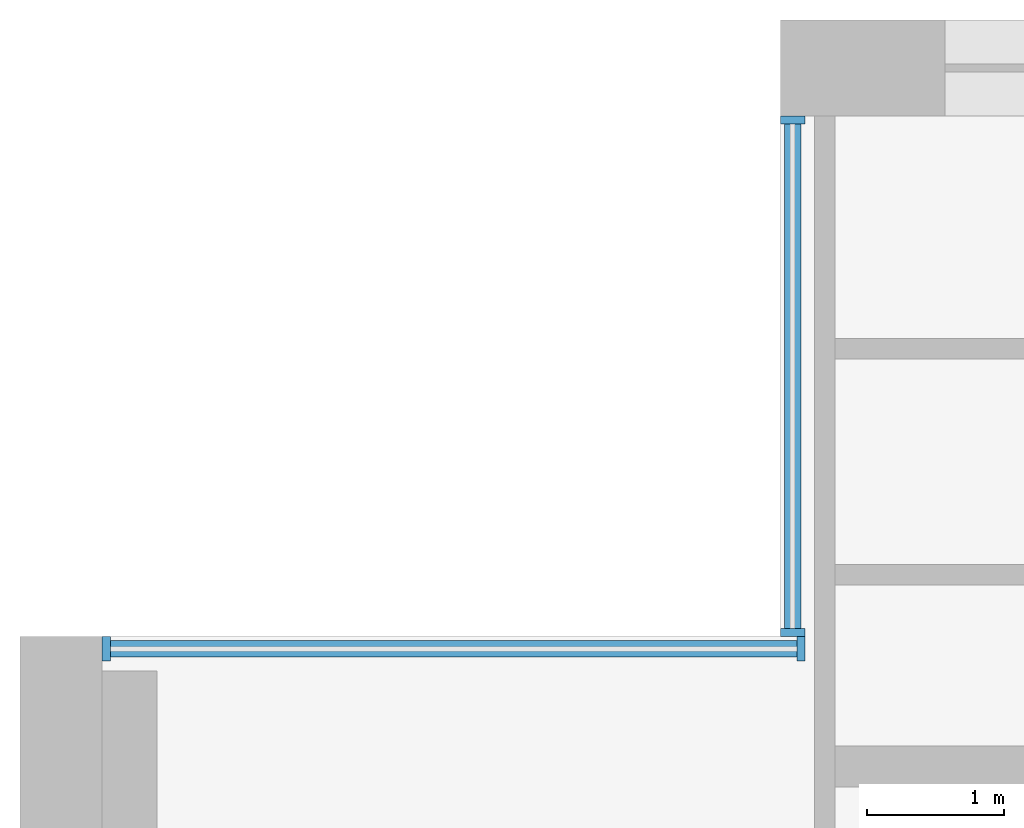
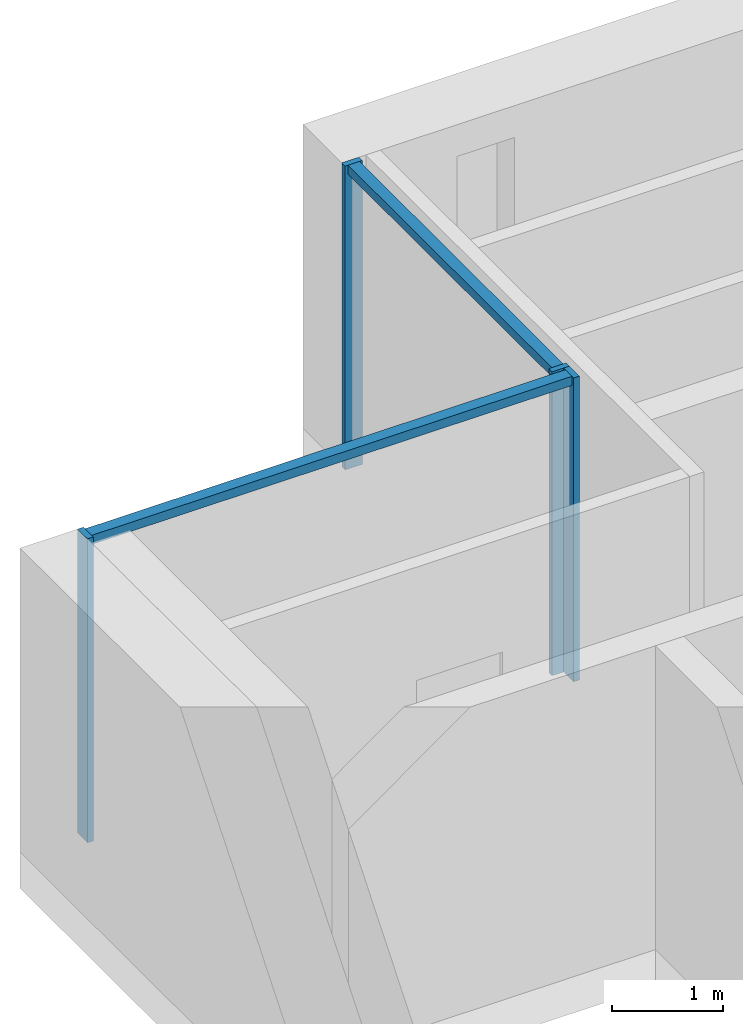
# One storey, part 4 of 17: 6 members, 2 elements without a shape of their own.
"""IFC4 building model written with IfcOpenShell, lengths in metres."""

from ifc_helpers import new_model, si_unit, direction, frame, origin, origin_2d, place, context, subcontext, project, spatial, rectangle, extrude, material, material_profile, profile_set, type_object, element, aggregate, save


model = new_model("IFC4")

# Units and contexts
model_context = context("Model", 3, precision=1e-05, world=origin(), true_north=direction((0.0, 1.0)))
body_context = subcontext(model_context, "Body", "Model", "MODEL_VIEW")
ifc_project = project(units=[si_unit("LENGTHUNIT", "METRE"), si_unit("AREAUNIT", "SQUARE_METRE"), si_unit("VOLUMEUNIT", "CUBIC_METRE"), si_unit("PLANEANGLEUNIT", "RADIAN"), si_unit("MASSUNIT", "GRAM", prefix="KILO")], contexts=[model_context])

# Site, building, storey
site_placement = place(None, origin())
site = spatial("IfcSite", under=ifc_project, at=site_placement, CompositionType="ELEMENT")
building_placement = place(site_placement, origin())
building = spatial("IfcBuilding", under=site, at=building_placement, Name="Calvaro Tower", CompositionType="ELEMENT")
storey_placement = place(building_placement, frame((0.0, 0.0, 219.25)))
storey = spatial("IfcBuildingStorey", under=building, at=storey_placement, Name="L55", CompositionType="ELEMENT", Elevation=219.25)

# Curtain wall, members
ifc_material_1 = material(Name="Anodised aluminium", Category="aluminium")
curtain_wall_type = type_object("IfcCurtainWallType", Name="Office curtain wall, upper zone", PredefinedType="NOTDEFINED", material=ifc_material_1)
curtain_wall_1_placement = place(storey_placement, origin())
curtain_wall_1 = element("IfcCurtainWall", 1, at=curtain_wall_1_placement, inside=storey, type_object=curtain_wall_type, Name="CW3 corner curtain wall", PredefinedType="NOTDEFINED")
ifc_material_2 = material(Name="Anodised aluminium", Category="aluminium")
ifc_material_profile_1 = material_profile(ifc_material_2, rectangle(XDim=0.179931640625, YDim=0.06005859375, at=origin_2d()), Name="Mullion S3 60 x 180")
ifc_profile_set_1 = profile_set([ifc_material_profile_1], Name="Anodised aluminium")
member_type_1 = type_object("IfcMemberType", Name="Mullion S3 60 x 180", PredefinedType="MULLION", material=ifc_profile_set_1)
member_1_placement = place(storey_placement, frame((11.639892578125, 41.530029296875, 0.0), z_axis=(0.0, 0.0, 1.0), x_axis=(-1.0, 0.0, 0.0)))
member_1 = element("IfcMember", 2, at=member_1_placement, type_object=member_type_1, Name="CW3 mullion 1", PredefinedType="MULLION", context=body_context, shape_type="SweptSolid", body=[
    extrude(rectangle(XDim=0.179931640625, YDim=0.06005859375, at=origin_2d()), origin(), (0.0, 0.0, 1.0), 3.35009765625),
])
member_2_placement = place(storey_placement, frame((11.639892578125, 45.27001953125, 0.0), z_axis=(0.0, 0.0, 1.0), x_axis=(-1.0, 0.0, 0.0)))
member_2 = element("IfcMember", 3, at=member_2_placement, type_object=member_type_1, Name="CW3 mullion 2", PredefinedType="MULLION", context=body_context, shape_type="SweptSolid", body=[
    extrude(rectangle(XDim=0.179931640625, YDim=0.06005859375, at=origin_2d()), origin(), (0.0, 0.0, 1.0), 3.35009765625),
])

curtain_wall_2_placement = place(storey_placement, origin())
curtain_wall_2 = element("IfcCurtainWall", 4, at=curtain_wall_2_placement, inside=storey, type_object=curtain_wall_type, Name="CW3 corner curtain wall", PredefinedType="NOTDEFINED")
member_3_placement = place(storey_placement, frame((6.6298828125, 41.409912109375, 0.0), z_axis=(0.0, 0.0, 1.0), x_axis=(0.0, 1.0, 0.0)))
member_3 = element("IfcMember", 5, at=member_3_placement, type_object=member_type_1, Name="CW3 mullion 1", PredefinedType="MULLION", context=body_context, shape_type="SweptSolid", body=[
    extrude(rectangle(XDim=0.179931640625, YDim=0.06005859375, at=origin_2d()), origin(), (0.0, 0.0, 1.0), 3.35009765625),
])
member_4_placement = place(storey_placement, frame((11.699951171875, 41.409912109375, 0.0), z_axis=(0.0, 0.0, 1.0), x_axis=(0.0, 1.0, 0.0)))
member_4 = element("IfcMember", 6, at=member_4_placement, type_object=member_type_1, Name="CW3 mullion 2", PredefinedType="MULLION", context=body_context, shape_type="SweptSolid", body=[
    extrude(rectangle(XDim=0.179931640625, YDim=0.06005859375, at=origin_2d()), origin(), (0.0, 0.0, 1.0), 3.35009765625),
])

# Member
ifc_material_3 = material(Name="Anodised aluminium", Category="aluminium")
ifc_material_profile_2 = material_profile(ifc_material_3, rectangle(XDim=0.1201171875, YDim=0.10009765625, at=origin_2d()), Name="Transom S3 100 x 120")
ifc_profile_set_2 = profile_set([ifc_material_profile_2], Name="Anodised aluminium")
member_type_2 = type_object("IfcMemberType", Name="Transom S3 100 x 120", PredefinedType="USERDEFINED", material=ifc_profile_set_2)
member_5_placement = place(storey_placement, frame((11.639892578125, 41.56005859375, 3.300048828125), z_axis=(0.0, 1.0, 0.0), x_axis=(-1.0, 0.0, 0.0)))
member_5 = element("IfcMember", 7, at=member_5_placement, type_object=member_type_2, Name="CW3 transom 1.1", ObjectType="TRANSOM", PredefinedType="USERDEFINED", context=body_context, shape_type="SweptSolid", body=[
    extrude(rectangle(XDim=0.1201171875, YDim=0.10009765625, at=origin_2d()), origin(), (0.0, 0.0, 1.0), 3.679931640625),
])

aggregate(curtain_wall_1, [member_1, member_2, member_5])

member_6_placement = place(storey_placement, frame((6.659912109375, 41.409912109375, 3.300048828125), z_axis=(1.0, 0.0, 0.0), x_axis=(0.0, 1.0, 0.0)))
member_6 = element("IfcMember", 8, at=member_6_placement, type_object=member_type_2, Name="CW3 transom 1.1", ObjectType="TRANSOM", PredefinedType="USERDEFINED", context=body_context, shape_type="SweptSolid", body=[
    extrude(rectangle(XDim=0.1201171875, YDim=0.10009765625, at=origin_2d()), origin(), (0.0, 0.0, 1.0), 5.010009765625),
])

aggregate(curtain_wall_2, [member_3, member_4, member_6])

save(model, "model.ifc")
